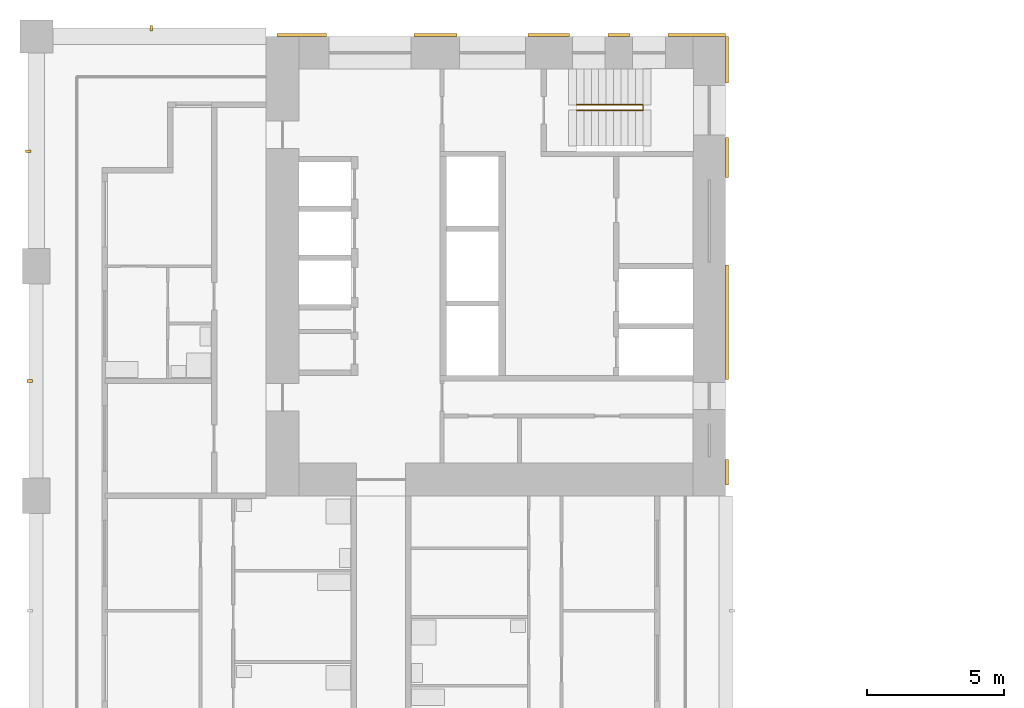
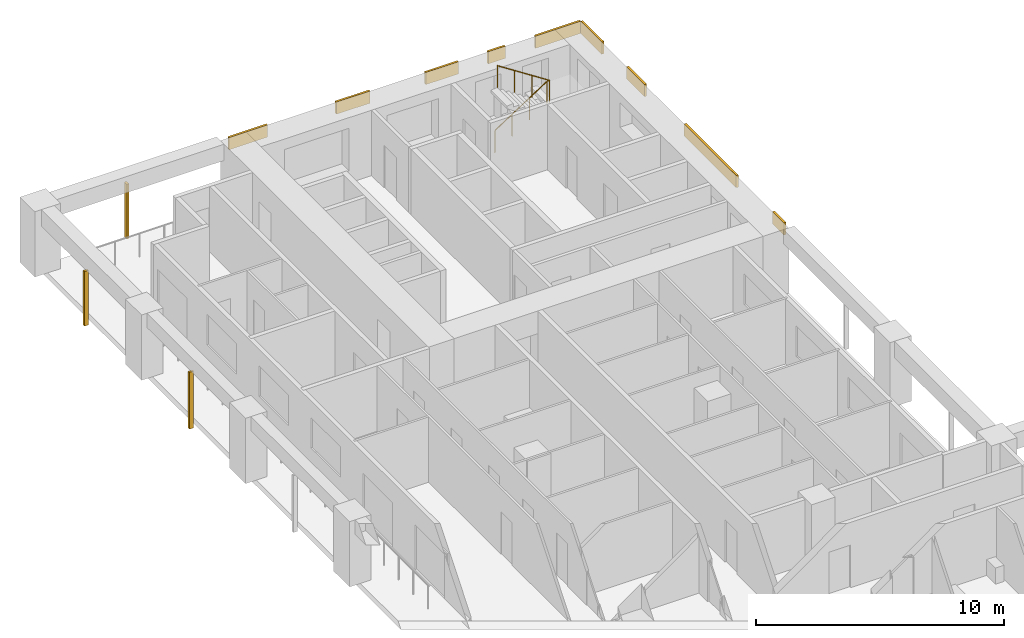
# One storey, part 14 of 16: 12 shading devices, 1 railing.
"""IFC4 building model written with IfcOpenShell, lengths in metres."""

from ifc_helpers import new_model, si_unit, direction, frame, origin, origin_2d, place, context, subcontext, project, spatial, rectangle, circle, extrude, material, layer, layer_set, material_profile, profile_set, type_object, element, save


model = new_model("IFC4")

# Units and contexts
model_context = context("Model", 3, precision=1e-05, world=origin(), true_north=direction((0.0, 1.0)))
body_context = subcontext(model_context, "Body", "Model", "MODEL_VIEW")
ifc_project = project(units=[si_unit("LENGTHUNIT", "METRE"), si_unit("AREAUNIT", "SQUARE_METRE"), si_unit("VOLUMEUNIT", "CUBIC_METRE"), si_unit("PLANEANGLEUNIT", "RADIAN"), si_unit("MASSUNIT", "GRAM", prefix="KILO")], contexts=[model_context])

# Site, building, storey
site_placement = place(None, origin())
site = spatial("IfcSite", under=ifc_project, at=site_placement, CompositionType="ELEMENT")
building_placement = place(site_placement, origin())
building = spatial("IfcBuilding", under=site, at=building_placement, Name="Vermilion Gate Residences", CompositionType="ELEMENT")
storey_placement = place(building_placement, frame((0.0, 0.0, 126.699951171875)))
storey = spatial("IfcBuildingStorey", under=building, at=storey_placement, Name="L32", CompositionType="ELEMENT", Elevation=126.699951171875)

# Railing
ifc_material_1 = material(Name="Steel S355", Category="steel")
railing_type = type_object("IfcRailingType", Name="STAIR GUARD 1100 STEEL", PredefinedType="GUARDRAIL", material=ifc_material_1)
railing_placement = place(storey_placement, frame((19.75, 56.300048828125, 0.175048828125)))
element("IfcRailing", 1, at=railing_placement, inside=storey, type_object=railing_type, Name="Stair well guard STB1-32", PredefinedType="GUARDRAIL", context=body_context, shape_type="SweptSolid", body=[
    extrude(circle(Radius=0.02392578125, at=origin_2d()), frame((0.0, 0.0, 1.076171875), z_axis=(0.839153699163, 0.0, 0.543894354798), x_axis=(0.0, 1.0, 0.0)), (0.0, 0.0, 1.0), 2.895751953125),
    extrude(circle(Radius=0.02392578125, at=origin_2d()), frame((2.429931640625, 0.0, 2.65087890625), z_axis=(0.0, -0.752405939678, 0.658699705433), x_axis=(1.0, 0.0, 0.0)), (0.0, 0.0, 1.0), 0.265869140625),
    extrude(circle(Radius=0.02392578125, at=origin_2d()), frame((2.429931640625, -0.199951171875, 2.826171875), z_axis=(-0.839153699163, 0.0, 0.543894354798), x_axis=(0.0, -1.0, 0.0)), (0.0, 0.0, 1.0), 2.895751953125),
    extrude(circle(Radius=0.02099609375, at=origin_2d()), origin(), (0.0, 0.0, 1.0), 1.052001953125),
    extrude(circle(Radius=0.02099609375, at=origin_2d()), frame((0.81005859375, 0.0, 0.52490234375)), (0.0, 0.0, 1.0), 1.052001953125),
    extrude(circle(Radius=0.02099609375, at=origin_2d()), frame((1.619873046875, 0.0, 1.050048828125)), (0.0, 0.0, 1.0), 1.052001953125),
    extrude(circle(Radius=0.02099609375, at=origin_2d()), frame((2.429931640625, 0.0, 1.574951171875)), (0.0, 0.0, 1.0), 1.052001953125),
    extrude(circle(Radius=0.02099609375, at=origin_2d()), frame((2.429931640625, -0.199951171875, 1.75)), (0.0, 0.0, 1.0), 1.052001953125),
    extrude(circle(Radius=0.02099609375, at=origin_2d()), frame((1.619873046875, -0.199951171875, 2.27490234375)), (0.0, 0.0, 1.0), 1.052001953125),
    extrude(circle(Radius=0.02099609375, at=origin_2d()), frame((0.81005859375, -0.199951171875, 2.800048828125)), (0.0, 0.0, 1.0), 1.052001953125),
    extrude(circle(Radius=0.02099609375, at=origin_2d()), frame((0.0, -0.199951171875, 3.324951171875)), (0.0, 0.0, 1.0), 1.052001953125),
])

# Shading devices
ifc_material_2 = material(Name="Extruded terracotta", Category="masonry")
ifc_material_profile = material_profile(ifc_material_2, rectangle(XDim=0.199951171875, YDim=0.10009765625, at=origin_2d()), Name="BAGUETTE 100 X 200")
ifc_profile_set = profile_set([ifc_material_profile], Name="Extruded terracotta")
shading_device_type_1 = type_object("IfcShadingDeviceType", Name="TERRACOTTA BAGUETTE 100 X 200", PredefinedType="JALOUSIE", material=ifc_profile_set)
shading_device_1_placement = place(storey_placement, frame((4.199951171875, 59.10009765625, -0.280029296875), z_axis=(0.0, 0.0, 1.0), x_axis=(0.0, -1.0, 0.0)))
element("IfcShadingDevice", 2, at=shading_device_1_placement, inside=storey, type_object=shading_device_type_1, Name="BAGUETTE", PredefinedType="JALOUSIE", context=body_context, shape_type="SweptSolid", body=[
    extrude(rectangle(XDim=0.199951171875, YDim=0.10009765625, at=origin_2d()), origin(), (0.0, 0.0, 1.0), 2.7001953125),
])
shading_device_2_placement = place(storey_placement, frame((-0.25, 46.199951171875, -0.280029296875), z_axis=(0.0, 0.0, 1.0), x_axis=(1.0, 0.0, 0.0)))
element("IfcShadingDevice", 3, at=shading_device_2_placement, inside=storey, type_object=shading_device_type_1, Name="BAGUETTE", PredefinedType="JALOUSIE", context=body_context, shape_type="SweptSolid", body=[
    extrude(rectangle(XDim=0.199951171875, YDim=0.10009765625, at=origin_2d()), origin(), (0.0, 0.0, 1.0), 2.800048828125),
])
shading_device_3_placement = place(storey_placement, frame((-0.300048828125, 54.60009765625, -0.280029296875), z_axis=(0.0, 0.0, 1.0), x_axis=(1.0, 0.0, 0.0)))
element("IfcShadingDevice", 4, at=shading_device_3_placement, inside=storey, type_object=shading_device_type_1, Name="BAGUETTE", PredefinedType="JALOUSIE", context=body_context, shape_type="SweptSolid", body=[
    extrude(rectangle(XDim=0.199951171875, YDim=0.10009765625, at=origin_2d()), origin(), (0.0, 0.0, 1.0), 2.7001953125),
])
ifc_material_3 = material(Name="Extruded terracotta", Category="masonry")
ifc_layer = layer(ifc_material_3, 0.10009765625)
ifc_layer_set = layer_set([ifc_layer], Name="TERRACOTTA SPANDREL BAND 600 X 100")
shading_device_type_2 = type_object("IfcShadingDeviceType", Name="TERRACOTTA SPANDREL BAND 600 X 100", PredefinedType="USERDEFINED", material=ifc_layer_set)
shading_device_4_placement = place(storey_placement, frame((9.702392578125, 58.85009765625, 2.6201171875), z_axis=(0.0, 0.0, 1.0), x_axis=(1.0, 0.0, 0.0)))
element("IfcShadingDevice", 5, at=shading_device_4_placement, inside=storey, type_object=shading_device_type_2, Name="SPANDREL BAND", ObjectType="BAND", PredefinedType="USERDEFINED", context=body_context, shape_type="SweptSolid", body=[
    extrude(rectangle(XDim=1.804931640625, YDim=0.10009765625, at=origin_2d()), origin(), (0.0, 0.0, 1.0), 0.60009765625),
])
shading_device_5_placement = place(storey_placement, frame((14.590087890625, 58.85009765625, 2.6201171875), z_axis=(0.0, 0.0, 1.0), x_axis=(1.0, 0.0, 0.0)))
element("IfcShadingDevice", 6, at=shading_device_5_placement, inside=storey, type_object=shading_device_type_2, Name="SPANDREL BAND", ObjectType="BAND", PredefinedType="USERDEFINED", context=body_context, shape_type="SweptSolid", body=[
    extrude(rectangle(XDim=1.570068359375, YDim=0.10009765625, at=origin_2d()), origin(), (0.0, 0.0, 1.0), 0.60009765625),
])
shading_device_6_placement = place(storey_placement, frame((18.734130859375, 58.85009765625, 2.6201171875), z_axis=(0.0, 0.0, 1.0), x_axis=(1.0, 0.0, 0.0)))
element("IfcShadingDevice", 7, at=shading_device_6_placement, inside=storey, type_object=shading_device_type_2, Name="SPANDREL BAND", ObjectType="BAND", PredefinedType="USERDEFINED", context=body_context, shape_type="SweptSolid", body=[
    extrude(rectangle(XDim=1.518310546875, YDim=0.10009765625, at=origin_2d()), origin(), (0.0, 0.0, 1.0), 0.60009765625),
])
shading_device_7_placement = place(storey_placement, frame((21.294921875, 58.85009765625, 2.6201171875), z_axis=(0.0, 0.0, 1.0), x_axis=(1.0, 0.0, 0.0)))
element("IfcShadingDevice", 8, at=shading_device_7_placement, inside=storey, type_object=shading_device_type_2, Name="SPANDREL BAND", ObjectType="BAND", PredefinedType="USERDEFINED", context=body_context, shape_type="SweptSolid", body=[
    extrude(rectangle(XDim=0.803466796875, YDim=0.10009765625, at=origin_2d()), origin(), (0.0, 0.0, 1.0), 0.60009765625),
])
shading_device_8_placement = place(storey_placement, frame((24.1484375, 58.85009765625, 2.6201171875), z_axis=(0.0, 0.0, 1.0), x_axis=(1.0, 0.0, 0.0)))
element("IfcShadingDevice", 9, at=shading_device_8_placement, inside=storey, type_object=shading_device_type_2, Name="SPANDREL BAND", ObjectType="BAND", PredefinedType="USERDEFINED", context=body_context, shape_type="SweptSolid", body=[
    extrude(rectangle(XDim=2.103271484375, YDim=0.10009765625, at=origin_2d()), origin(), (0.0, 0.0, 1.0), 0.60009765625),
])
shading_device_9_placement = place(storey_placement, frame((25.25, 42.862548828125, 2.6201171875), z_axis=(0.0, 0.0, 1.0), x_axis=(0.0, 1.0, 0.0)))
element("IfcShadingDevice", 10, at=shading_device_9_placement, inside=storey, type_object=shading_device_type_2, Name="SPANDREL BAND", ObjectType="BAND", PredefinedType="USERDEFINED", context=body_context, shape_type="SweptSolid", body=[
    extrude(rectangle(XDim=0.925048828125, YDim=0.10009765625, at=origin_2d()), origin(), (0.0, 0.0, 1.0), 0.60009765625),
])
shading_device_10_placement = place(storey_placement, frame((25.25, 48.35009765625, 2.6201171875), z_axis=(0.0, 0.0, 1.0), x_axis=(0.0, 1.0, 0.0)))
element("IfcShadingDevice", 11, at=shading_device_10_placement, inside=storey, type_object=shading_device_type_2, Name="SPANDREL BAND", ObjectType="BAND", PredefinedType="USERDEFINED", context=body_context, shape_type="SweptSolid", body=[
    extrude(rectangle(XDim=4.199951171875, YDim=0.10009765625, at=origin_2d()), origin(), (0.0, 0.0, 1.0), 0.60009765625),
])
shading_device_11_placement = place(storey_placement, frame((25.25, 54.375, 2.6201171875), z_axis=(0.0, 0.0, 1.0), x_axis=(0.0, 1.0, 0.0)))
element("IfcShadingDevice", 12, at=shading_device_11_placement, inside=storey, type_object=shading_device_type_2, Name="SPANDREL BAND", ObjectType="BAND", PredefinedType="USERDEFINED", context=body_context, shape_type="SweptSolid", body=[
    extrude(rectangle(XDim=1.449951171875, YDim=0.10009765625, at=origin_2d()), origin(), (0.0, 0.0, 1.0), 0.60009765625),
])
shading_device_12_placement = place(storey_placement, frame((25.25, 57.949951171875, 2.6201171875), z_axis=(0.0, 0.0, 1.0), x_axis=(0.0, 1.0, 0.0)))
element("IfcShadingDevice", 13, at=shading_device_12_placement, inside=storey, type_object=shading_device_type_2, Name="SPANDREL BAND", ObjectType="BAND", PredefinedType="USERDEFINED", context=body_context, shape_type="SweptSolid", body=[
    extrude(rectangle(XDim=1.699951171875, YDim=0.10009765625, at=origin_2d()), origin(), (0.0, 0.0, 1.0), 0.60009765625),
])

save(model, "model.ifc")
